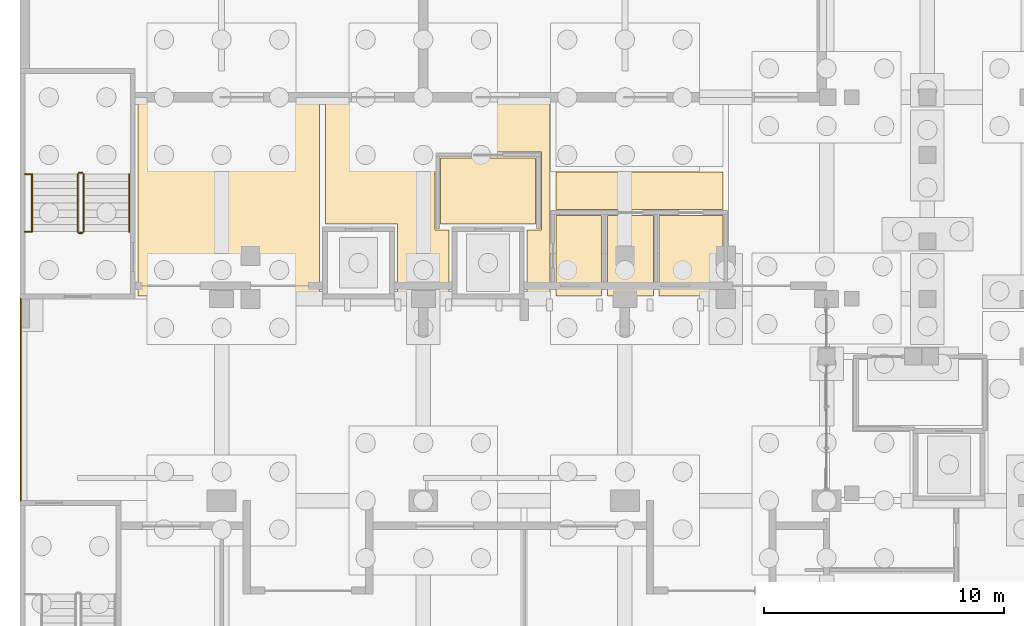
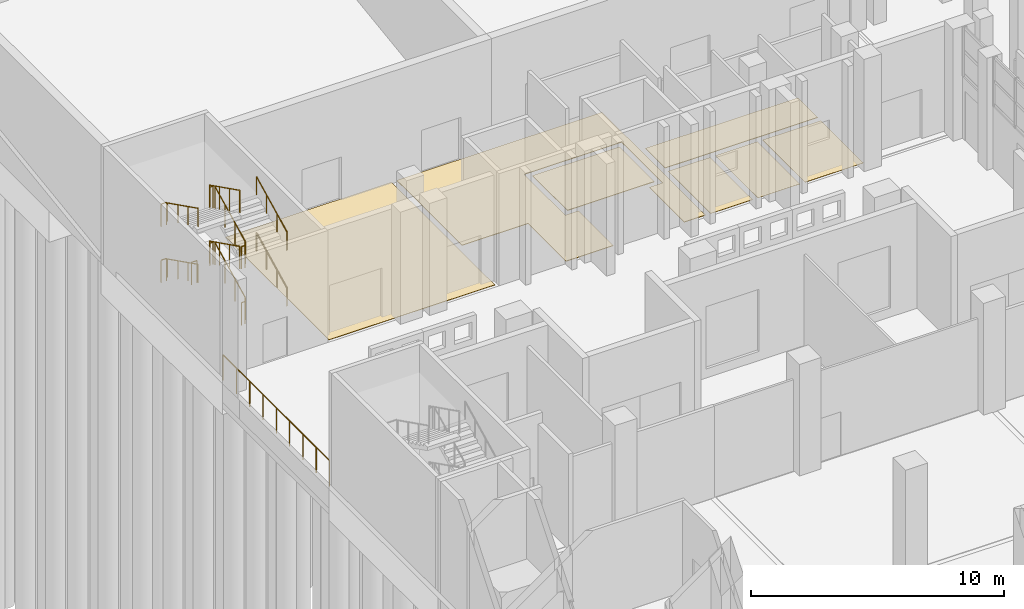
# One storey, part 107 of 129: 16 railings, 7 coverings.
"""IFC4 building model written with IfcOpenShell, lengths in metres."""

from ifc_helpers import new_model, si_unit, direction, frame, origin, origin_2d, place, context, subcontext, project, spatial, polyline, circle, outline, extrude, material, layer, layer_set, type_object, element, save


model = new_model("IFC4")

# Units and contexts
model_context = context("Model", 3, precision=1e-05, world=origin(), true_north=direction((0.0, 1.0)))
body_context = subcontext(model_context, "Body", "Model", "MODEL_VIEW")
ifc_project = project(units=[si_unit("LENGTHUNIT", "METRE"), si_unit("AREAUNIT", "SQUARE_METRE"), si_unit("VOLUMEUNIT", "CUBIC_METRE"), si_unit("PLANEANGLEUNIT", "RADIAN"), si_unit("MASSUNIT", "GRAM", prefix="KILO")], contexts=[model_context])

# Site, building, storey
site_placement = place(None, origin())
site = spatial("IfcSite", under=ifc_project, at=site_placement, CompositionType="ELEMENT")
building_placement = place(site_placement, origin())
building = spatial("IfcBuilding", under=site, at=building_placement, Name="Kiln Court Media Centre", CompositionType="ELEMENT")
storey_placement = place(building_placement, origin())
storey = spatial("IfcBuildingStorey", under=building, at=storey_placement, Name="L00", CompositionType="ELEMENT", Elevation=0.0)

# Coverings
ifc_material_1 = material(Name="Ceramic tile")
ifc_layer_1 = layer(ifc_material_1, 0.011962890625)
ifc_layer_set_1 = layer_set([ifc_layer_1], Name="Ceramic tile floor finish 12")
covering_type_1 = type_object("IfcCoveringType", Name="Ceramic tile floor finish 12", PredefinedType="FLOORING", material=ifc_layer_set_1)
covering_1_placement = place(storey_placement, origin())
element("IfcCovering", 1, at=covering_1_placement, inside=storey, type_object=covering_type_1, Name="Women's WC floor finish", PredefinedType="FLOORING", context=body_context, shape_type="SweptSolid", body=[
    extrude(outline(polyline([(24.22998046875, 33.719970703125), (24.22998046875, 37.080078125), (22.320068359375, 37.080078125), (22.320068359375, 33.719970703125), (24.22998046875, 33.719970703125)])), origin(), (0.0, 0.0, 1.0), 0.011962890625),
])
covering_2_placement = place(storey_placement, origin())
element("IfcCovering", 2, at=covering_2_placement, inside=storey, type_object=covering_type_1, Name="Men's WC floor finish", PredefinedType="FLOORING", context=body_context, shape_type="SweptSolid", body=[
    extrude(outline(polyline([(26.3798828125, 33.719970703125), (26.3798828125, 37.080078125), (24.469970703125, 37.080078125), (24.469970703125, 33.719970703125), (26.3798828125, 33.719970703125)])), origin(), (0.0, 0.0, 1.0), 0.011962890625),
])
covering_3_placement = place(storey_placement, origin())
element("IfcCovering", 3, at=covering_3_placement, inside=storey, type_object=covering_type_1, Name="Accessible WC floor finish", PredefinedType="FLOORING", context=body_context, shape_type="SweptSolid", body=[
    extrude(outline(polyline([(29.280029296875, 33.719970703125), (29.280029296875, 37.080078125), (26.6201171875, 37.080078125), (26.6201171875, 33.719970703125), (29.280029296875, 33.719970703125)])), origin(), (0.0, 0.0, 1.0), 0.011962890625),
])
ifc_material_2 = material(Name="Engineered timber", Category="wood")
ifc_layer_2 = layer(ifc_material_2, 0.02001953125)
ifc_layer_set_2 = layer_set([ifc_layer_2], Name="Engineered timber floor finish 20")
covering_type_2 = type_object("IfcCoveringType", Name="Engineered timber floor finish 20", PredefinedType="FLOORING", material=ifc_layer_set_2)
covering_4_placement = place(storey_placement, origin())
element("IfcCovering", 4, at=covering_4_placement, inside=storey, type_object=covering_type_2, Name="Cinema Concessions floor finish", PredefinedType="FLOORING", context=body_context, shape_type="SweptSolid", body=[
    extrude(outline(polyline([(12.47998046875, 41.8798828125), (4.919921875, 41.8798828125), (4.919921875, 33.719970703125), (12.47998046875, 33.719970703125), (12.47998046875, 41.8798828125)])), origin(), (0.0, 0.0, 1.0), 0.02001953125),
])
ifc_material_3 = material(Name="Terrazzo")
ifc_layer_3 = layer(ifc_material_3, 0.02490234375)
ifc_layer_set_3 = layer_set([ifc_layer_3], Name="Polished terrazzo floor finish 25")
covering_type_3 = type_object("IfcCoveringType", Name="Polished terrazzo floor finish 25", PredefinedType="FLOORING", material=ifc_layer_set_3)
covering_5_placement = place(storey_placement, origin())
element("IfcCovering", 5, at=covering_5_placement, inside=storey, type_object=covering_type_3, Name="Cinema Lobby floor finish", PredefinedType="FLOORING", context=body_context, shape_type="SweptSolid", body=[
    extrude(outline(polyline([(17.8798828125, 33.719970703125), (17.8798828125, 36.47998046875), (17.280029296875, 36.47998046875), (17.280029296875, 39.719970703125), (21.719970703125, 39.719970703125), (21.719970703125, 36.47998046875), (21.1201171875, 36.47998046875), (21.1201171875, 33.719970703125), (22.080078125, 33.719970703125), (22.080078125, 41.8798828125), (12.719970703125, 41.8798828125), (12.719970703125, 36.719970703125), (15.719970703125, 36.719970703125), (15.719970703125, 33.719970703125), (17.8798828125, 33.719970703125)])), origin(), (0.0, 0.0, 1.0), 0.02490234375),
])
covering_6_placement = place(storey_placement, origin())
element("IfcCovering", 6, at=covering_6_placement, inside=storey, type_object=covering_type_3, Name="Fire-fighting Lift Lobby floor finish", PredefinedType="FLOORING", context=body_context, shape_type="SweptSolid", body=[
    extrude(outline(polyline([(17.52001953125, 36.719970703125), (21.47998046875, 36.719970703125), (21.47998046875, 39.47998046875), (17.52001953125, 39.47998046875), (17.52001953125, 36.719970703125)])), origin(), (0.0, 0.0, 1.0), 0.02490234375),
])
covering_7_placement = place(storey_placement, origin())
element("IfcCovering", 7, at=covering_7_placement, inside=storey, type_object=covering_type_3, Name="Toilet Lobby floor finish", PredefinedType="FLOORING", context=body_context, shape_type="SweptSolid", body=[
    extrude(outline(polyline([(29.280029296875, 37.320068359375), (29.280029296875, 38.8798828125), (22.320068359375, 38.8798828125), (22.320068359375, 37.320068359375), (29.280029296875, 37.320068359375)])), origin(), (0.0, 0.0, 1.0), 0.02490234375),
])

# Railings
ifc_material_4 = material(Name="Steel S275", Category="steel")
railing_type_1 = type_object("IfcRailingType", Name="Steel S275 stair guard 1100", PredefinedType="GUARDRAIL", material=ifc_material_4)
railing_1_placement = place(storey_placement, frame((2.64990234375, 36.39990234375, 0.14990234375)))
element("IfcRailing", 8, at=railing_1_placement, inside=storey, type_object=railing_type_1, Name="ST-06 stair guard", PredefinedType="GUARDRAIL", context=body_context, shape_type="SweptSolid", body=[
    extrude(circle(Radius=0.02392578125, at=origin_2d()), frame((0.0, 0.0, 1.076171875), z_axis=(0.0, 0.894408994573, 0.447249986504), x_axis=(-1.0, 0.0, 0.0)), (0.0, 0.0, 1.0), 2.68359375),
    extrude(circle(Radius=0.02099609375, at=origin_2d()), origin(), (0.0, 0.0, 1.0), 1.052001953125),
    extrude(circle(Radius=0.02099609375, at=origin_2d()), frame((0.0, 0.800048828125, 0.400146484375)), (0.0, 0.0, 1.0), 1.052001953125),
    extrude(circle(Radius=0.02099609375, at=origin_2d()), frame((0.0, 1.60009765625, 0.800048828125)), (0.0, 0.0, 1.0), 1.052001953125),
    extrude(circle(Radius=0.02099609375, at=origin_2d()), frame((0.0, 2.400146484375, 1.2001953125)), (0.0, 0.0, 1.0), 1.052001953125),
])
railing_2_placement = place(storey_placement, frame((2.60009765625, 38.85009765625, 1.35009765625)))
element("IfcRailing", 9, at=railing_2_placement, inside=storey, type_object=railing_type_1, Name="ST-06 stair guard", PredefinedType="GUARDRAIL", context=body_context, shape_type="SweptSolid", body=[
    extrude(circle(Radius=0.02392578125, at=origin_2d()), frame((0.0, 0.0, 1.076171875), z_axis=(-1.0, 0.0, 0.0), x_axis=(0.0, -1.0, 0.0)), (0.0, 0.0, 1.0), 0.150146484375),
    extrude(circle(Radius=0.02099609375, at=origin_2d()), origin(), (0.0, 0.0, 1.0), 1.052001953125),
    extrude(circle(Radius=0.02099609375, at=origin_2d()), frame((-0.150146484375, 0.0, 0.0)), (0.0, 0.0, 1.0), 1.052001953125),
])
railing_3_placement = place(storey_placement, frame((2.39990234375, 38.800048828125, 1.5)))
element("IfcRailing", 10, at=railing_3_placement, inside=storey, type_object=railing_type_1, Name="ST-06 stair guard", PredefinedType="GUARDRAIL", context=body_context, shape_type="SweptSolid", body=[
    extrude(circle(Radius=0.02392578125, at=origin_2d()), frame((0.0, 0.0, 1.076171875), z_axis=(0.0, -0.894445386687, 0.447177202275), x_axis=(1.0, 0.0, 0.0)), (0.0, 0.0, 1.0), 2.683349609375),
    extrude(circle(Radius=0.02099609375, at=origin_2d()), origin(), (0.0, 0.0, 1.0), 1.052001953125),
    extrude(circle(Radius=0.02099609375, at=origin_2d()), frame((0.0, -0.800048828125, 0.39990234375)), (0.0, 0.0, 1.0), 1.052001953125),
    extrude(circle(Radius=0.02099609375, at=origin_2d()), frame((0.0, -1.60009765625, 0.800048828125)), (0.0, 0.0, 1.0), 1.052001953125),
    extrude(circle(Radius=0.02099609375, at=origin_2d()), frame((0.0, -2.400146484375, 1.199951171875)), (0.0, 0.0, 1.0), 1.052001953125),
])
railing_4_placement = place(storey_placement, frame((2.60009765625, 36.35009765625, 2.699951171875)))
element("IfcRailing", 11, at=railing_4_placement, inside=storey, type_object=railing_type_1, Name="ST-06 stair guard", PredefinedType="GUARDRAIL", context=body_context, shape_type="SweptSolid", body=[
    extrude(circle(Radius=0.02392578125, at=origin_2d()), frame((0.0, 0.0, 1.076171875), z_axis=(-1.0, 0.0, 0.0), x_axis=(0.0, -1.0, 0.0)), (0.0, 0.0, 1.0), 0.150146484375),
    extrude(circle(Radius=0.02099609375, at=origin_2d()), origin(), (0.0, 0.0, 1.0), 1.052001953125),
    extrude(circle(Radius=0.02099609375, at=origin_2d()), frame((-0.150146484375, 0.0, 0.0)), (0.0, 0.0, 1.0), 1.052001953125),
])
railing_5_placement = place(storey_placement, frame((2.64990234375, 36.39990234375, 2.85009765625)))
element("IfcRailing", 12, at=railing_5_placement, inside=storey, type_object=railing_type_1, Name="ST-06 stair guard", PredefinedType="GUARDRAIL", context=body_context, shape_type="SweptSolid", body=[
    extrude(circle(Radius=0.02392578125, at=origin_2d()), frame((0.0, 0.0, 1.076171875), z_axis=(0.0, 0.894445386687, 0.447177202275), x_axis=(-1.0, 0.0, 0.0)), (0.0, 0.0, 1.0), 2.683349609375),
    extrude(circle(Radius=0.02099609375, at=origin_2d()), origin(), (0.0, 0.0, 1.0), 1.052001953125),
    extrude(circle(Radius=0.02099609375, at=origin_2d()), frame((0.0, 0.800048828125, 0.39990234375)), (0.0, 0.0, 1.0), 1.052001953125),
    extrude(circle(Radius=0.02099609375, at=origin_2d()), frame((0.0, 1.60009765625, 0.800048828125)), (0.0, 0.0, 1.0), 1.052001953125),
    extrude(circle(Radius=0.02099609375, at=origin_2d()), frame((0.0, 2.400146484375, 1.199951171875)), (0.0, 0.0, 1.0), 1.052001953125),
])
railing_6_placement = place(storey_placement, frame((2.60009765625, 38.85009765625, 4.050048828125)))
element("IfcRailing", 13, at=railing_6_placement, inside=storey, type_object=railing_type_1, Name="ST-06 stair guard", PredefinedType="GUARDRAIL", context=body_context, shape_type="SweptSolid", body=[
    extrude(circle(Radius=0.02392578125, at=origin_2d()), frame((0.0, 0.0, 1.076171875), z_axis=(-1.0, 0.0, 0.0), x_axis=(0.0, -1.0, 0.0)), (0.0, 0.0, 1.0), 0.150146484375),
    extrude(circle(Radius=0.02099609375, at=origin_2d()), origin(), (0.0, 0.0, 1.0), 1.052001953125),
    extrude(circle(Radius=0.02099609375, at=origin_2d()), frame((-0.150146484375, 0.0, 0.0)), (0.0, 0.0, 1.0), 1.052001953125),
])
railing_7_placement = place(storey_placement, frame((2.39990234375, 38.800048828125, 4.199951171875)))
element("IfcRailing", 14, at=railing_7_placement, inside=storey, type_object=railing_type_1, Name="ST-06 stair guard", PredefinedType="GUARDRAIL", context=body_context, shape_type="SweptSolid", body=[
    extrude(circle(Radius=0.02392578125, at=origin_2d()), frame((0.0, 0.0, 1.076171875), z_axis=(0.0, -0.894445386687, 0.447177202275), x_axis=(1.0, 0.0, 0.0)), (0.0, 0.0, 1.0), 2.683349609375),
    extrude(circle(Radius=0.02099609375, at=origin_2d()), origin(), (0.0, 0.0, 1.0), 1.052001953125),
    extrude(circle(Radius=0.02099609375, at=origin_2d()), frame((0.0, -0.800048828125, 0.39990234375)), (0.0, 0.0, 1.0), 1.052001953125),
    extrude(circle(Radius=0.02099609375, at=origin_2d()), frame((0.0, -1.60009765625, 0.800048828125)), (0.0, 0.0, 1.0), 1.052001953125),
    extrude(circle(Radius=0.02099609375, at=origin_2d()), frame((0.0, -2.400146484375, 1.199951171875)), (0.0, 0.0, 1.0), 1.052001953125),
])
railing_8_placement = place(storey_placement, frame((2.60009765625, 36.35009765625, 0.0)))
element("IfcRailing", 15, at=railing_8_placement, inside=storey, type_object=railing_type_1, Name="ST-06 stair guard", PredefinedType="GUARDRAIL", context=body_context, shape_type="SweptSolid", body=[
    extrude(circle(Radius=0.02392578125, at=origin_2d()), frame((0.0, 0.0, 1.076171875), z_axis=(-1.0, 0.0, 0.0), x_axis=(0.0, -1.0, 0.0)), (0.0, 0.0, 1.0), 0.150146484375),
    extrude(circle(Radius=0.02099609375, at=origin_2d()), origin(), (0.0, 0.0, 1.0), 1.052001953125),
    extrude(circle(Radius=0.02099609375, at=origin_2d()), frame((-0.150146484375, 0.0, 0.0)), (0.0, 0.0, 1.0), 1.052001953125),
])
for number, where, name in (
    (16, (0.449951171875, 38.800048828125, 1.35009765625), "ST-06 landing edge guard"),
    (17, (0.449951171875, 36.39990234375, 2.699951171875), "ST-06 landing edge guard"),
    (18, (0.449951171875, 38.800048828125, 4.050048828125), "ST-06 landing edge guard"),
):
    element("IfcRailing", number, at=place(storey_placement, frame(where)), inside=storey, type_object=railing_type_1, Name=name, PredefinedType="GUARDRAIL", context=body_context, shape_type="SweptSolid", body=[
        extrude(circle(Radius=0.02392578125, at=origin_2d()), frame((0.0, 0.0, 1.076171875), z_axis=(-1.0, 0.0, 0.0), x_axis=(0.0, -1.0, 0.0)), (0.0, 0.0, 1.0), 0.25),
        extrude(circle(Radius=0.02099609375, at=origin_2d()), origin(), (0.0, 0.0, 1.0), 1.052001953125),
        extrude(circle(Radius=0.02099609375, at=origin_2d()), frame((-0.25, 0.0, 0.0)), (0.0, 0.0, 1.0), 1.052001953125),
    ])
ifc_material_5 = material(Name="Steel S275", Category="steel")
railing_type_2 = type_object("IfcRailingType", Name="Steel S275 stair handrail 900", PredefinedType="HANDRAIL", material=ifc_material_5)
railing_9_placement = place(storey_placement, frame((4.550048828125, 36.39990234375, 0.14990234375)))
element("IfcRailing", 19, at=railing_9_placement, inside=storey, type_object=railing_type_2, Name="ST-06 stair handrail", PredefinedType="HANDRAIL", context=body_context, shape_type="SweptSolid", body=[
    extrude(circle(Radius=0.02392578125, at=origin_2d()), frame((0.0, 0.0, 0.8759765625), z_axis=(0.0, 0.894408994573, 0.447249986504), x_axis=(-1.0, 0.0, 0.0)), (0.0, 0.0, 1.0), 2.68359375),
    extrude(circle(Radius=0.02099609375, at=origin_2d()), origin(), (0.0, 0.0, 1.0), 0.851806640625),
    extrude(circle(Radius=0.02099609375, at=origin_2d()), frame((0.0, 0.800048828125, 0.400146484375)), (0.0, 0.0, 1.0), 0.851806640625),
    extrude(circle(Radius=0.02099609375, at=origin_2d()), frame((0.0, 1.60009765625, 0.800048828125)), (0.0, 0.0, 1.0), 0.851806640625),
    extrude(circle(Radius=0.02099609375, at=origin_2d()), frame((0.0, 2.400146484375, 1.2001953125)), (0.0, 0.0, 1.0), 0.851806640625),
])
railing_10_placement = place(storey_placement, frame((0.5, 38.800048828125, 1.5)))
element("IfcRailing", 20, at=railing_10_placement, inside=storey, type_object=railing_type_2, Name="ST-06 stair handrail", PredefinedType="HANDRAIL", context=body_context, shape_type="SweptSolid", body=[
    extrude(circle(Radius=0.02392578125, at=origin_2d()), frame((0.0, 0.0, 0.8759765625), z_axis=(0.0, -0.894445386687, 0.447177202275), x_axis=(1.0, 0.0, 0.0)), (0.0, 0.0, 1.0), 2.683349609375),
    extrude(circle(Radius=0.02099609375, at=origin_2d()), origin(), (0.0, 0.0, 1.0), 0.851806640625),
    extrude(circle(Radius=0.02099609375, at=origin_2d()), frame((0.0, -0.800048828125, 0.39990234375)), (0.0, 0.0, 1.0), 0.851806640625),
    extrude(circle(Radius=0.02099609375, at=origin_2d()), frame((0.0, -1.60009765625, 0.800048828125)), (0.0, 0.0, 1.0), 0.851806640625),
    extrude(circle(Radius=0.02099609375, at=origin_2d()), frame((0.0, -2.400146484375, 1.199951171875)), (0.0, 0.0, 1.0), 0.851806640625),
])
railing_11_placement = place(storey_placement, frame((4.550048828125, 36.39990234375, 2.85009765625)))
element("IfcRailing", 21, at=railing_11_placement, inside=storey, type_object=railing_type_2, Name="ST-06 stair handrail", PredefinedType="HANDRAIL", context=body_context, shape_type="SweptSolid", body=[
    extrude(circle(Radius=0.02392578125, at=origin_2d()), frame((0.0, 0.0, 0.8759765625), z_axis=(0.0, 0.894445386687, 0.447177202275), x_axis=(-1.0, 0.0, 0.0)), (0.0, 0.0, 1.0), 2.683349609375),
    extrude(circle(Radius=0.02099609375, at=origin_2d()), origin(), (0.0, 0.0, 1.0), 0.851806640625),
    extrude(circle(Radius=0.02099609375, at=origin_2d()), frame((0.0, 0.800048828125, 0.39990234375)), (0.0, 0.0, 1.0), 0.851806640625),
    extrude(circle(Radius=0.02099609375, at=origin_2d()), frame((0.0, 1.60009765625, 0.800048828125)), (0.0, 0.0, 1.0), 0.851806640625),
    extrude(circle(Radius=0.02099609375, at=origin_2d()), frame((0.0, 2.400146484375, 1.199951171875)), (0.0, 0.0, 1.0), 0.851806640625),
])
railing_12_placement = place(storey_placement, frame((0.5, 38.800048828125, 4.199951171875)))
element("IfcRailing", 22, at=railing_12_placement, inside=storey, type_object=railing_type_2, Name="ST-06 stair handrail", PredefinedType="HANDRAIL", context=body_context, shape_type="SweptSolid", body=[
    extrude(circle(Radius=0.02392578125, at=origin_2d()), frame((0.0, 0.0, 0.8759765625), z_axis=(0.0, -0.894445386687, 0.447177202275), x_axis=(1.0, 0.0, 0.0)), (0.0, 0.0, 1.0), 2.683349609375),
    extrude(circle(Radius=0.02099609375, at=origin_2d()), origin(), (0.0, 0.0, 1.0), 0.851806640625),
    extrude(circle(Radius=0.02099609375, at=origin_2d()), frame((0.0, -0.800048828125, 0.39990234375)), (0.0, 0.0, 1.0), 0.851806640625),
    extrude(circle(Radius=0.02099609375, at=origin_2d()), frame((0.0, -1.60009765625, 0.800048828125)), (0.0, 0.0, 1.0), 0.851806640625),
    extrude(circle(Radius=0.02099609375, at=origin_2d()), frame((0.0, -2.400146484375, 1.199951171875)), (0.0, 0.0, 1.0), 0.851806640625),
])
ifc_material_6 = material(Name="Steel ASTM A572 Gr 50", Category="steel")
railing_type_3 = type_object("IfcRailingType", Name="Steel guard rail 1100", PredefinedType="GUARDRAIL", material=ifc_material_6)
railing_13_placement = place(storey_placement, frame((0.02490234375, 25.199951171875, -0.14990234375)))
element("IfcRailing", 23, at=railing_13_placement, inside=storey, type_object=railing_type_3, Name="Deck edge guard 9", PredefinedType="GUARDRAIL", context=body_context, shape_type="SweptSolid", body=[
    extrude(circle(Radius=0.02392578125, at=origin_2d()), frame((0.0, 0.0, 1.22607421875), z_axis=(0.0, 1.0, 0.0), x_axis=(-1.0, 0.0, 0.0)), (0.0, 0.0, 1.0), 8.400146484375),
    extrude(circle(Radius=0.02099609375, at=origin_2d()), origin(), (0.0, 0.0, 1.0), 1.201904296875),
    extrude(circle(Radius=0.02099609375, at=origin_2d()), frame((0.0, 1.050048828125, 0.0)), (0.0, 0.0, 1.0), 1.201904296875),
    extrude(circle(Radius=0.02099609375, at=origin_2d()), frame((0.0, 2.10009765625, 0.0)), (0.0, 0.0, 1.0), 1.201904296875),
    extrude(circle(Radius=0.02099609375, at=origin_2d()), frame((0.0, 3.150146484375, 0.0)), (0.0, 0.0, 1.0), 1.201904296875),
    extrude(circle(Radius=0.02099609375, at=origin_2d()), frame((0.0, 4.2001953125, 0.0)), (0.0, 0.0, 1.0), 1.201904296875),
    extrude(circle(Radius=0.02099609375, at=origin_2d()), frame((0.0, 5.25, 0.0)), (0.0, 0.0, 1.0), 1.201904296875),
    extrude(circle(Radius=0.02099609375, at=origin_2d()), frame((0.0, 6.300048828125, 0.0)), (0.0, 0.0, 1.0), 1.201904296875),
    extrude(circle(Radius=0.02099609375, at=origin_2d()), frame((0.0, 7.35009765625, 0.0)), (0.0, 0.0, 1.0), 1.201904296875),
    extrude(circle(Radius=0.02099609375, at=origin_2d()), frame((0.0, 8.400146484375, 0.0)), (0.0, 0.0, 1.0), 1.201904296875),
])

save(model, "model.ifc")
